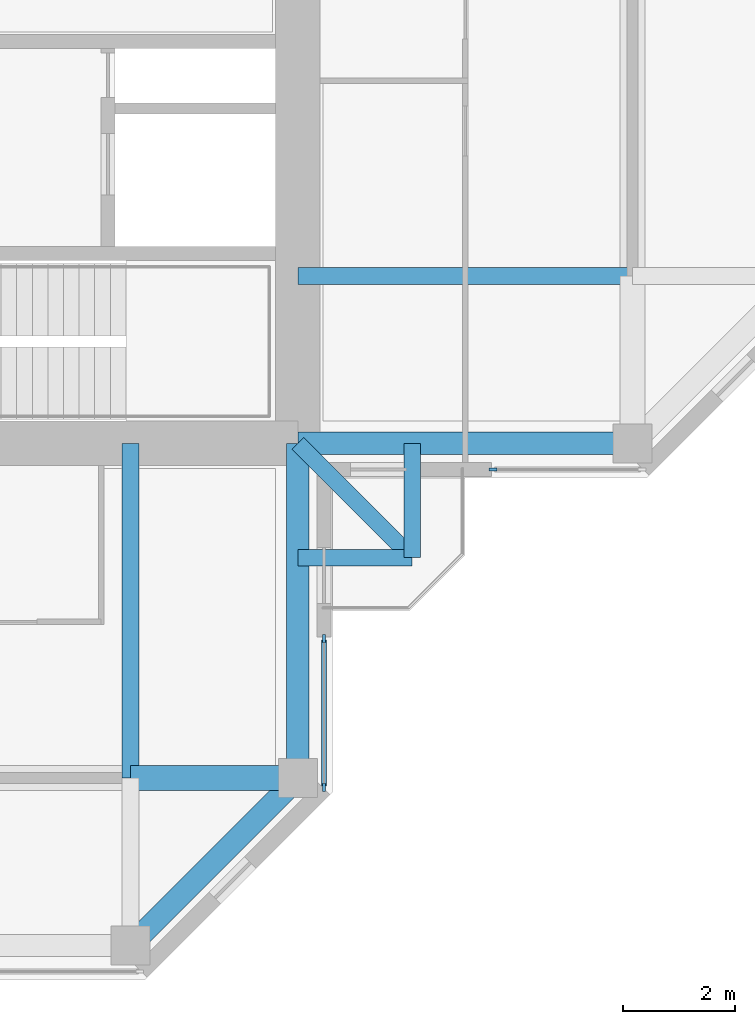
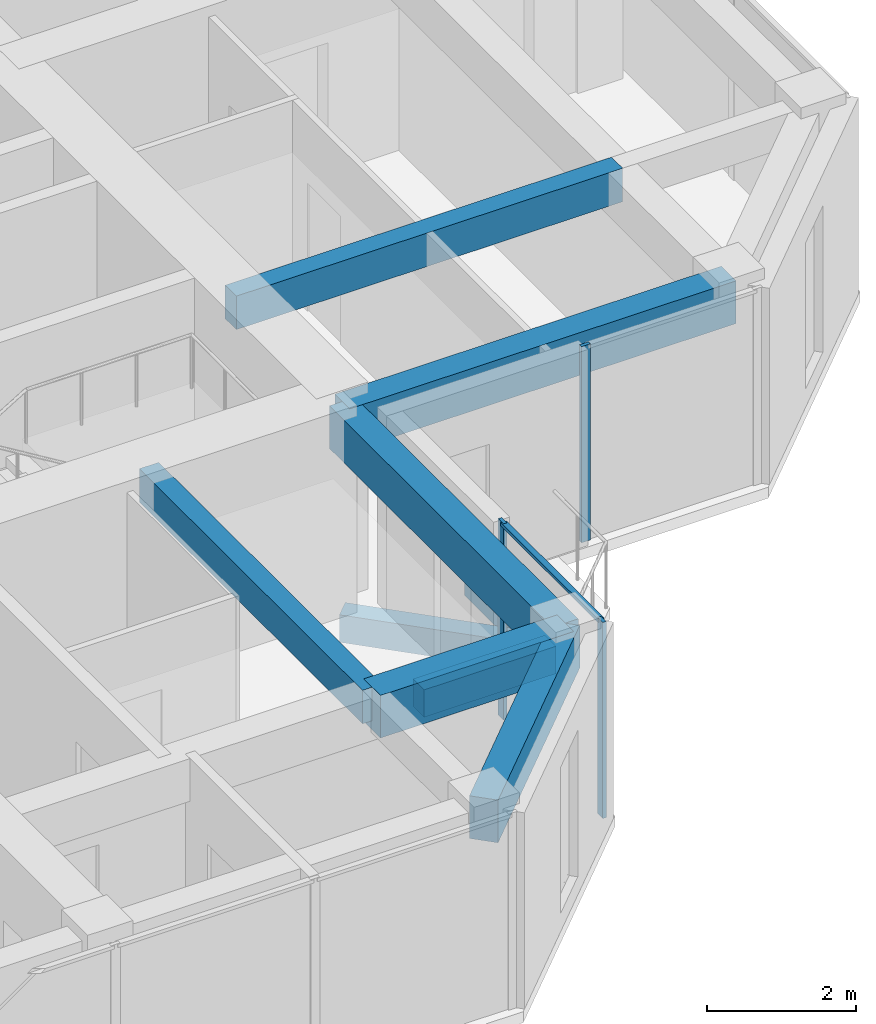
# One storey, part 3 of 13: 9 beams, 4 members, 2 elements without a shape of their own.
"""IFC4 building model written with IfcOpenShell, lengths in metres."""

from ifc_helpers import new_model, si_unit, direction, frame, origin, origin_2d, place, context, subcontext, project, spatial, rectangle, extrude, material, material_profile, profile_set, type_object, element, aggregate, save


model = new_model("IFC4")

# Units and contexts
model_context = context("Model", 3, precision=1e-05, world=origin(), true_north=direction((0.0, 1.0)))
body_context = subcontext(model_context, "Body", "Model", "MODEL_VIEW")
ifc_project = project(units=[si_unit("LENGTHUNIT", "METRE"), si_unit("AREAUNIT", "SQUARE_METRE"), si_unit("VOLUMEUNIT", "CUBIC_METRE"), si_unit("PLANEANGLEUNIT", "RADIAN"), si_unit("MASSUNIT", "GRAM", prefix="KILO")], contexts=[model_context])

# Site, building, storey
site_placement = place(None, origin())
site = spatial("IfcSite", under=ifc_project, at=site_placement, CompositionType="ELEMENT")
building_placement = place(site_placement, origin())
building = spatial("IfcBuilding", under=site, at=building_placement, Name="Torre Cruceta", CompositionType="ELEMENT")
storey_placement = place(building_placement, frame((0.0, 0.0, 278.10009765625)))
storey = spatial("IfcBuildingStorey", under=building, at=storey_placement, Name="L72", CompositionType="ELEMENT", Elevation=278.10009765625)

# Beams
ifc_material_1 = material(Name="Concrete G60 (fck 60 MPa)", Category="concrete")
ifc_material_profile_1 = material_profile(ifc_material_1, rectangle(XDim=0.300048828125, YDim=0.449951171875, at=origin_2d()), Name="RC 300X450")
ifc_profile_set_1 = profile_set([ifc_material_profile_1], Name="Concrete G60 (fck 60 MPa)")
beam_type_1 = type_object("IfcBeamType", Name="BALCONY CANTILEVER BEAM RC 300X450", PredefinedType="BEAM", material=ifc_profile_set_1)
beam_1_placement = place(storey_placement, frame((9.0, -9.0, -0.405029296875), z_axis=(0.707106781187, -0.707106781187, 0.0), x_axis=(0.707106781187, 0.707106781187, 0.0)))
element("IfcBeam", 1, at=beam_1_placement, inside=storey, type_object=beam_type_1, Name="BB1 balcony beam L72 S", PredefinedType="BEAM", context=body_context, shape_type="SweptSolid", body=[
    extrude(rectangle(XDim=0.300048828125, YDim=0.449951171875, at=origin_2d()), origin(), (0.0, 0.0, 1.0), 2.89990234375),
])
for number, where, z_axis, x_axis, name in (
    (2, (11.050537109375, -9.0, -0.405029296875), (0.0, -1.0, 0.0), (1.0, 0.0, 0.0), "BB1 balcony edge beam L72 S-X"),
    (3, (9.0, -11.050537109375, -0.405029296875), (1.0, 0.0, 0.0), (0.0, 1.0, 0.0), "BB1 balcony edge beam L72 S-Y"),
):
    element("IfcBeam", number, at=place(storey_placement, frame(where, z_axis=z_axis, x_axis=x_axis)), inside=storey, type_object=beam_type_1, Name=name, PredefinedType="BEAM", context=body_context, shape_type="SweptSolid", body=[
        extrude(rectangle(XDim=0.300048828125, YDim=0.449951171875, at=origin_2d()), origin(), (0.0, 0.0, 1.0), 2.050537109375),
    ])
ifc_material_2 = material(Name="Concrete G60 (fck 60 MPa)", Category="concrete")
ifc_material_profile_2 = material_profile(ifc_material_2, rectangle(XDim=0.300048828125, YDim=0.550048828125, at=origin_2d()), Name="RC 300X550")
ifc_profile_set_2 = profile_set([ifc_material_profile_2], Name="Concrete G60 (fck 60 MPa)")
beam_type_2 = type_object("IfcBeamType", Name="COLUMN LINE BEAM RC 300X550", PredefinedType="BEAM", material=ifc_profile_set_2)
for number, where, z_axis, x_axis, name in (
    (4, (9.0, -6.0, 2.94482421875), (1.0, 0.0, 0.0), (0.0, 1.0, 0.0), "LB10 L72 E col- 1"),
    (5, (6.0, -9.0, 2.94482421875), (0.0, -1.0, 0.0), (1.0, 0.0, 0.0), "LB10 L72 S col+ 1"),
):
    element("IfcBeam", number, at=place(storey_placement, frame(where, z_axis=z_axis, x_axis=x_axis)), inside=storey, type_object=beam_type_2, Name=name, PredefinedType="BEAM", context=body_context, shape_type="SweptSolid", body=[
        extrude(rectangle(XDim=0.300048828125, YDim=0.550048828125, at=origin_2d()), origin(), (0.0, 0.0, 1.0), 6.0),
    ])
ifc_material_3 = material(Name="Concrete G60 (fck 60 MPa)", Category="concrete")
ifc_material_profile_3 = material_profile(ifc_material_3, rectangle(XDim=0.449951171875, YDim=0.699951171875, at=origin_2d()), Name="RC 450X700")
ifc_profile_set_3 = profile_set([ifc_material_profile_3], Name="Concrete G60 (fck 60 MPa)")
beam_type_3 = type_object("IfcBeamType", Name="CROSS BEAM RC 450X700", PredefinedType="BEAM", material=ifc_profile_set_3)
beam_2_placement = place(storey_placement, frame((6.0, -15.0, 2.869873046875), z_axis=(1.0, 0.0, 0.0), x_axis=(0.0, 1.0, 0.0)))
element("IfcBeam", 6, at=beam_2_placement, inside=storey, type_object=beam_type_3, Name="GB8 L72 S cross15 4", PredefinedType="BEAM", context=body_context, shape_type="SweptSolid", body=[
    extrude(rectangle(XDim=0.449951171875, YDim=0.699951171875, at=origin_2d()), origin(), (0.0, 0.0, 1.0), 3.0),
])

# Curtain wall, member
ifc_material_4 = material(Name="Aluminium unitised curtain wall", Category="aluminium")
curtain_wall_type = type_object("IfcCurtainWallType", Name="CURTAIN WALL CW-E CO-LIVING TOP", PredefinedType="USERDEFINED", material=ifc_material_4)
curtain_wall_1_placement = place(storey_placement, origin())
curtain_wall_1 = element("IfcCurtainWall", 7, at=curtain_wall_1_placement, inside=storey, type_object=curtain_wall_type, Name="CW-E L72 E side 00", ObjectType="UNITISED", PredefinedType="USERDEFINED")
ifc_material_5 = material(Name="Aluminium mullion", Category="aluminium")
ifc_material_profile_4 = material_profile(ifc_material_5, rectangle(XDim=0.054931640625, YDim=0.139892578125, at=origin_2d()), Name="AL 55X140")
ifc_profile_set_4 = profile_set([ifc_material_profile_4], Name="Aluminium mullion")
member_type_1 = type_object("IfcMemberType", Name="CW-E MULLION 55X140", PredefinedType="MULLION", material=ifc_profile_set_4)
member_1_placement = place(storey_placement, frame((12.49755859375, -9.469970703125, 0.0), z_axis=(0.0, 0.0, 1.0), x_axis=(0.0, 1.0, 0.0)))
member_1 = element("IfcMember", 8, at=member_1_placement, type_object=member_type_1, Name="CW-E mullion 1", PredefinedType="MULLION", context=body_context, shape_type="SweptSolid", body=[
    extrude(rectangle(XDim=0.054931640625, YDim=0.139892578125, at=origin_2d()), origin(), (0.0, 0.0, 1.0), 3.219970703125),
])
aggregate(curtain_wall_1, [member_1])

# Curtain wall, members
curtain_wall_2_placement = place(storey_placement, origin())
curtain_wall_2 = element("IfcCurtainWall", 9, at=curtain_wall_2_placement, inside=storey, type_object=curtain_wall_type, Name="CW-E L72 S side 19", ObjectType="UNITISED", PredefinedType="USERDEFINED")
member_2_placement = place(storey_placement, frame((9.469970703125, -15.167236328125, 0.0), z_axis=(0.0, 0.0, 1.0), x_axis=(-1.0, 0.0, 0.0)))
member_2 = element("IfcMember", 10, at=member_2_placement, type_object=member_type_1, Name="CW-E mullion 1", PredefinedType="MULLION", context=body_context, shape_type="SweptSolid", body=[
    extrude(rectangle(XDim=0.054931640625, YDim=0.139892578125, at=origin_2d()), origin(), (0.0, 0.0, 1.0), 3.219970703125),
])
member_3_placement = place(storey_placement, frame((9.469970703125, -12.49755859375, 0.0), z_axis=(0.0, 0.0, 1.0), x_axis=(-1.0, 0.0, 0.0)))
member_3 = element("IfcMember", 11, at=member_3_placement, type_object=member_type_1, Name="CW-E mullion 2", PredefinedType="MULLION", context=body_context, shape_type="SweptSolid", body=[
    extrude(rectangle(XDim=0.054931640625, YDim=0.139892578125, at=origin_2d()), origin(), (0.0, 0.0, 1.0), 3.219970703125),
])
ifc_material_6 = material(Name="Aluminium transom", Category="aluminium")
ifc_material_profile_5 = material_profile(ifc_material_6, rectangle(XDim=0.090087890625, YDim=0.054931640625, at=origin_2d()), Name="AL 90X55")
ifc_profile_set_5 = profile_set([ifc_material_profile_5], Name="Aluminium transom")
member_type_2 = type_object("IfcMemberType", Name="CW-E TRANSOM 55X90", PredefinedType="USERDEFINED", material=ifc_profile_set_5)
member_4_placement = place(storey_placement, frame((9.469970703125, -15.1396484375, 3.1923828125), z_axis=(0.0, 1.0, 0.0), x_axis=(-1.0, 0.0, 0.0)))
member_4 = element("IfcMember", 12, at=member_4_placement, type_object=member_type_2, Name="CW-E transom 1", ObjectType="TRANSOM", PredefinedType="USERDEFINED", context=body_context, shape_type="SweptSolid", body=[
    extrude(rectangle(XDim=0.090087890625, YDim=0.054931640625, at=origin_2d()), origin(), (0.0, 0.0, 1.0), 2.61474609375),
])
aggregate(curtain_wall_2, [member_2, member_3, member_4])

# Beams
ifc_material_7 = material(Name="Concrete G60 (fck 60 MPa)", Category="concrete")
ifc_material_profile_6 = material_profile(ifc_material_7, rectangle(XDim=0.39990234375, YDim=0.699951171875, at=origin_2d()), Name="RC 400X700")
ifc_profile_set_6 = profile_set([ifc_material_profile_6], Name="Concrete G60 (fck 60 MPa)")
beam_type_4 = type_object("IfcBeamType", Name="SPANDREL BEAM RC 400X700", PredefinedType="SPANDREL", material=ifc_profile_set_6)
for number, where, z_axis, x_axis, name in (
    (13, (9.0, -9.0, 2.869873046875), (1.0, 0.0, 0.0), (0.0, 1.0, 0.0), "SB8 L72 E side- 1"),
    (14, (9.0, -9.0, 2.869873046875), (0.0, -1.0, 0.0), (1.0, 0.0, 0.0), "SB8 L72 S side+ 1"),
):
    element("IfcBeam", number, at=place(storey_placement, frame(where, z_axis=z_axis, x_axis=x_axis)), inside=storey, type_object=beam_type_4, Name=name, PredefinedType="SPANDREL", context=body_context, shape_type="SweptSolid", body=[
        extrude(rectangle(XDim=0.39990234375, YDim=0.699951171875, at=origin_2d()), origin(), (0.0, 0.0, 1.0), 6.0),
    ])
beam_3_placement = place(storey_placement, frame((9.0, -15.0, 2.869873046875), z_axis=(-0.707106781187, -0.707106781187, 0.0), x_axis=(0.707106781187, -0.707106781187, 0.0)))
element("IfcBeam", 15, at=beam_3_placement, inside=storey, type_object=beam_type_4, Name="SB8 L72 S side+ 2", PredefinedType="SPANDREL", context=body_context, shape_type="SweptSolid", body=[
    extrude(rectangle(XDim=0.39990234375, YDim=0.699951171875, at=origin_2d()), origin(), (0.0, 0.0, 1.0), 4.24267578125),
])

save(model, "model.ifc")
